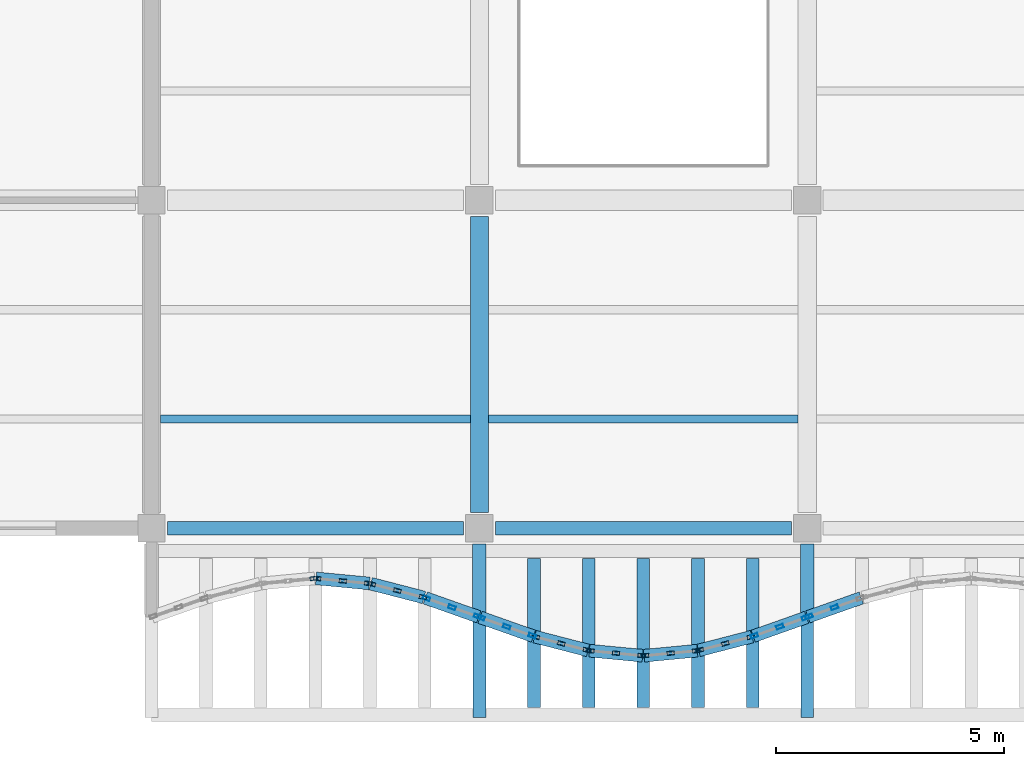
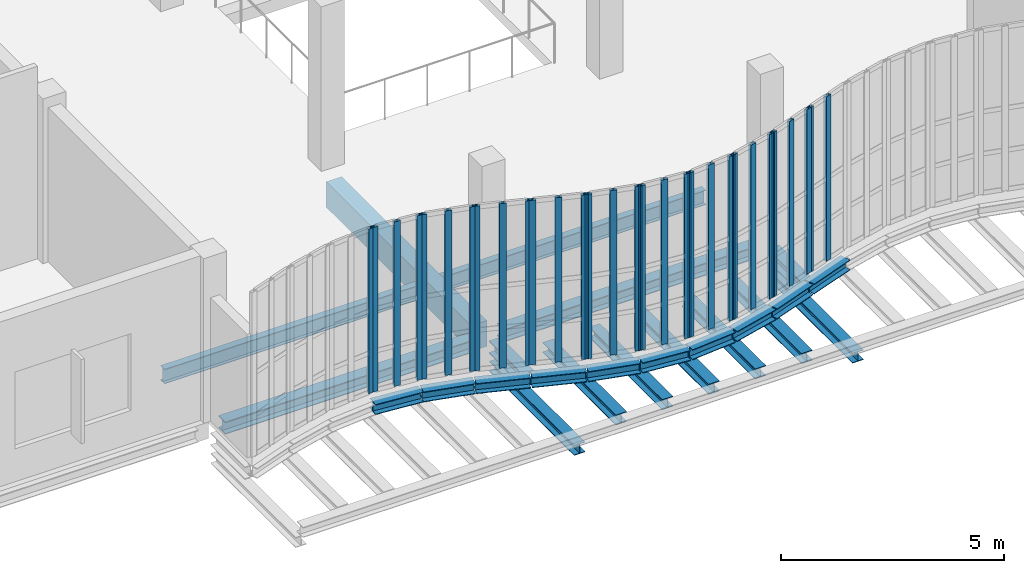
# One storey, part 9 of 105: 30 members, 24 beams, 11 elements without a shape of their own.
"""IFC4 building model written with IfcOpenShell, lengths in metres."""

from ifc_helpers import new_model, si_unit, direction, frame, origin, origin_2d, place, context, subcontext, project, spatial, rectangle, hollow_rectangle, i_section, extrude, material, layer, layer_set, material_profile, profile_set, type_object, element, aggregate, save


model = new_model("IFC4")

# Units and contexts
model_context = context("Model", 3, precision=1e-05, world=origin(), true_north=direction((0.0, 1.0)))
body_context = subcontext(model_context, "Body", "Model", "MODEL_VIEW")
ifc_project = project(units=[si_unit("LENGTHUNIT", "METRE"), si_unit("AREAUNIT", "SQUARE_METRE"), si_unit("VOLUMEUNIT", "CUBIC_METRE"), si_unit("PLANEANGLEUNIT", "RADIAN"), si_unit("MASSUNIT", "GRAM", prefix="KILO"), si_unit("THERMODYNAMICTEMPERATUREUNIT", "KELVIN"), si_unit("POWERUNIT", "WATT")], contexts=[model_context])

# Site, building, storey
site_placement = place(None, origin())
site = spatial("IfcSite", under=ifc_project, at=site_placement, CompositionType="ELEMENT")
building_placement = place(site_placement, origin())
building = spatial("IfcBuilding", under=site, at=building_placement, Name="Kaldorven Railside Theatre", CompositionType="ELEMENT")
storey_placement = place(building_placement, frame((0.0, 0.0, 9.89990234375)))
storey = spatial("IfcBuildingStorey", under=building, at=storey_placement, Name="L02", CompositionType="ELEMENT", Elevation=9.89990234375)

# Beams
ifc_material_1 = material(Name="Steel S355", Category="steel")
ifc_material_profile_1 = material_profile(ifc_material_1, i_section(OverallWidth=0.280029296875, OverallDepth=0.280029296875, WebThickness=0.010498046875, FlangeThickness=0.01806640625, at=origin_2d()), Name="HEB 280")
ifc_profile_set_1 = profile_set([ifc_material_profile_1], Name="Steel S355")
beam_type_1 = type_object("IfcBeamType", Name="BM-HEB280", PredefinedType="SPANDREL", material=ifc_profile_set_1)
for number, where, z_axis, x_axis, name in (
    (1, (44.0, 15.050048828125, -0.97998046875), (0.0, 1.0, 0.0), (-1.0, 0.0, 0.0), "L02 Sinusoidal Lower Cantilever Girder FOB-K015"),
    (2, (51.199951171875, 15.050048828125, -0.97998046875), (0.0, 1.0, 0.0), (-1.0, 0.0, 0.0), "L02 Sinusoidal Lower Cantilever Girder FOB-K016"),
):
    element("IfcBeam", number, at=place(storey_placement, frame(where, z_axis=z_axis, x_axis=x_axis)), inside=storey, type_object=beam_type_1, Name=name, PredefinedType="SPANDREL", context=body_context, shape_type="SweptSolid", body=[
        extrude(i_section(OverallWidth=0.280029296875, OverallDepth=0.280029296875, WebThickness=0.010498046875, FlangeThickness=0.01806640625, at=origin_2d()), origin(), (0.0, 0.0, 1.0), 3.800048828125),
    ])
beam_1_placement = place(storey_placement, frame((40.414794921875, 18.0986328125, -0.419921875), z_axis=(0.995526219207, -0.09448569665, 0.0), x_axis=(0.09448569665, 0.995526219207, 0.0)))
element("IfcBeam", 3, at=beam_1_placement, inside=storey, type_object=beam_type_1, Name="L02 Sinusoidal Flute Edge Spandrel FSB-076", PredefinedType="SPANDREL", context=body_context, shape_type="SweptSolid", body=[
    extrude(i_section(OverallWidth=0.280029296875, OverallDepth=0.280029296875, WebThickness=0.010498046875, FlangeThickness=0.01806640625, at=origin_2d()), origin(), (0.0, 0.0, 1.0), 1.17578125),
])
beam_2_placement = place(storey_placement, frame((41.614501953125, 17.982421875, -0.419921875), z_axis=(0.967967836725, -0.251074226206, 0.0), x_axis=(0.251074226206, 0.967967836725, 0.0)))
element("IfcBeam", 4, at=beam_2_placement, inside=storey, type_object=beam_type_1, Name="L02 Sinusoidal Flute Edge Spandrel FSB-077", PredefinedType="SPANDREL", context=body_context, shape_type="SweptSolid", body=[
    extrude(i_section(OverallWidth=0.280029296875, OverallDepth=0.280029296875, WebThickness=0.010498046875, FlangeThickness=0.01806640625, at=origin_2d()), origin(), (0.0, 0.0, 1.0), 1.209716796875),
])
for number, where, z_axis, x_axis, name in (
    (5, (42.814208984375, 17.669921875, -0.419921875), (0.942605331688, -0.333908952671, 0.0), (0.333908952671, 0.942605331688, 0.0), "L02 Sinusoidal Flute Edge Spandrel FSB-078"),
    (6, (44.01416015625, 17.2451171875, -0.419921875), (0.942605331688, -0.333908952671, 0.0), (0.333908952671, 0.942605331688, 0.0), "L02 Sinusoidal Flute Edge Spandrel FSB-079"),
):
    element("IfcBeam", number, at=place(storey_placement, frame(where, z_axis=z_axis, x_axis=x_axis)), inside=storey, type_object=beam_type_1, Name=name, PredefinedType="SPANDREL", context=body_context, shape_type="SweptSolid", body=[
        extrude(i_section(OverallWidth=0.280029296875, OverallDepth=0.280029296875, WebThickness=0.010498046875, FlangeThickness=0.01806640625, at=origin_2d()), origin(), (0.0, 0.0, 1.0), 1.242919921875),
    ])
beam_3_placement = place(storey_placement, frame((45.214599609375, 16.8212890625, -0.419921875), z_axis=(0.967967836725, -0.251074226206, 0.0), x_axis=(0.251074226206, 0.967967836725, 0.0)))
element("IfcBeam", 7, at=beam_3_placement, inside=storey, type_object=beam_type_1, Name="L02 Sinusoidal Flute Edge Spandrel FSB-080", PredefinedType="SPANDREL", context=body_context, shape_type="SweptSolid", body=[
    extrude(i_section(OverallWidth=0.280029296875, OverallDepth=0.280029296875, WebThickness=0.010498046875, FlangeThickness=0.01806640625, at=origin_2d()), origin(), (0.0, 0.0, 1.0), 1.209716796875),
])
beam_4_placement = place(storey_placement, frame((45.199951171875, 15.260009765625, -0.699951171875), z_axis=(0.0, 1.0, 0.0), x_axis=(-1.0, 0.0, 0.0)))
element("IfcBeam", 8, at=beam_4_placement, inside=storey, type_object=beam_type_1, Name="L02 Sinusoidal Diaphragm Rib Outrigger FOB-M080", PredefinedType="SPANDREL", context=body_context, shape_type="SweptSolid", body=[
    extrude(i_section(OverallWidth=0.280029296875, OverallDepth=0.280029296875, WebThickness=0.010498046875, FlangeThickness=0.01806640625, at=origin_2d()), origin(), (0.0, 0.0, 1.0), 3.280029296875),
])
beam_5_placement = place(storey_placement, frame((46.414794921875, 16.512451171875, -0.419921875), z_axis=(0.995526219207, -0.09448569665, 0.0), x_axis=(0.09448569665, 0.995526219207, 0.0)))
element("IfcBeam", 9, at=beam_5_placement, inside=storey, type_object=beam_type_1, Name="L02 Sinusoidal Flute Edge Spandrel FSB-081", PredefinedType="SPANDREL", context=body_context, shape_type="SweptSolid", body=[
    extrude(i_section(OverallWidth=0.280029296875, OverallDepth=0.280029296875, WebThickness=0.010498046875, FlangeThickness=0.01806640625, at=origin_2d()), origin(), (0.0, 0.0, 1.0), 1.17578125),
])
beam_6_placement = place(storey_placement, frame((46.39990234375, 15.260009765625, -0.699951171875), z_axis=(0.0, 1.0, 0.0), x_axis=(-1.0, 0.0, 0.0)))
element("IfcBeam", 10, at=beam_6_placement, inside=storey, type_object=beam_type_1, Name="L02 Sinusoidal Diaphragm Rib Outrigger FOB-M081", PredefinedType="SPANDREL", context=body_context, shape_type="SweptSolid", body=[
    extrude(i_section(OverallWidth=0.280029296875, OverallDepth=0.280029296875, WebThickness=0.010498046875, FlangeThickness=0.01806640625, at=origin_2d()), origin(), (0.0, 0.0, 1.0), 3.280029296875),
])
beam_7_placement = place(storey_placement, frame((47.614990234375, 16.4013671875, -0.419921875), z_axis=(0.99552436473, 0.094505233873, 0.0), x_axis=(-0.094505233873, 0.99552436473, 0.0)))
element("IfcBeam", 11, at=beam_7_placement, inside=storey, type_object=beam_type_1, Name="L02 Sinusoidal Flute Edge Spandrel FSB-082", PredefinedType="SPANDREL", context=body_context, shape_type="SweptSolid", body=[
    extrude(i_section(OverallWidth=0.280029296875, OverallDepth=0.280029296875, WebThickness=0.010498046875, FlangeThickness=0.01806640625, at=origin_2d()), origin(), (0.0, 0.0, 1.0), 1.175537109375),
])
beam_8_placement = place(storey_placement, frame((47.60009765625, 15.260009765625, -0.699951171875), z_axis=(0.0, 1.0, 0.0), x_axis=(-1.0, 0.0, 0.0)))
element("IfcBeam", 12, at=beam_8_placement, inside=storey, type_object=beam_type_1, Name="L02 Sinusoidal Diaphragm Rib Outrigger FOB-M082", PredefinedType="SPANDREL", context=body_context, shape_type="SweptSolid", body=[
    extrude(i_section(OverallWidth=0.280029296875, OverallDepth=0.280029296875, WebThickness=0.010498046875, FlangeThickness=0.01806640625, at=origin_2d()), origin(), (0.0, 0.0, 1.0), 3.280029296875),
])
beam_9_placement = place(storey_placement, frame((48.814453125, 16.517578125, -0.419921875), z_axis=(0.967980555895, 0.25102518481, 0.0), x_axis=(-0.25102518481, 0.967980555895, 0.0)))
element("IfcBeam", 13, at=beam_9_placement, inside=storey, type_object=beam_type_1, Name="L02 Sinusoidal Flute Edge Spandrel FSB-083", PredefinedType="SPANDREL", context=body_context, shape_type="SweptSolid", body=[
    extrude(i_section(OverallWidth=0.280029296875, OverallDepth=0.280029296875, WebThickness=0.010498046875, FlangeThickness=0.01806640625, at=origin_2d()), origin(), (0.0, 0.0, 1.0), 1.2099609375),
])
beam_10_placement = place(storey_placement, frame((48.800048828125, 15.260009765625, -0.699951171875), z_axis=(0.0, 1.0, 0.0), x_axis=(-1.0, 0.0, 0.0)))
element("IfcBeam", 14, at=beam_10_placement, inside=storey, type_object=beam_type_1, Name="L02 Sinusoidal Diaphragm Rib Outrigger FOB-M083", PredefinedType="SPANDREL", context=body_context, shape_type="SweptSolid", body=[
    extrude(i_section(OverallWidth=0.280029296875, OverallDepth=0.280029296875, WebThickness=0.010498046875, FlangeThickness=0.01806640625, at=origin_2d()), origin(), (0.0, 0.0, 1.0), 3.280029296875),
])
beam_11_placement = place(storey_placement, frame((50.01416015625, 16.830078125, -0.419921875), z_axis=(0.942605331688, 0.333908952671, 0.0), x_axis=(-0.333908952671, 0.942605331688, 0.0)))
element("IfcBeam", 15, at=beam_11_placement, inside=storey, type_object=beam_type_1, Name="L02 Sinusoidal Flute Edge Spandrel FSB-084", PredefinedType="SPANDREL", context=body_context, shape_type="SweptSolid", body=[
    extrude(i_section(OverallWidth=0.280029296875, OverallDepth=0.280029296875, WebThickness=0.010498046875, FlangeThickness=0.01806640625, at=origin_2d()), origin(), (0.0, 0.0, 1.0), 1.242919921875),
])
beam_12_placement = place(storey_placement, frame((50.0, 15.260009765625, -0.699951171875), z_axis=(0.0, 1.0, 0.0), x_axis=(-1.0, 0.0, 0.0)))
element("IfcBeam", 16, at=beam_12_placement, inside=storey, type_object=beam_type_1, Name="L02 Sinusoidal Diaphragm Rib Outrigger FOB-M084", PredefinedType="SPANDREL", context=body_context, shape_type="SweptSolid", body=[
    extrude(i_section(OverallWidth=0.280029296875, OverallDepth=0.280029296875, WebThickness=0.010498046875, FlangeThickness=0.01806640625, at=origin_2d()), origin(), (0.0, 0.0, 1.0), 3.280029296875),
])
beam_13_placement = place(storey_placement, frame((51.214111328125, 17.2548828125, -0.419921875), z_axis=(0.942627225161, 0.333847142245, 0.0), x_axis=(-0.333847142245, 0.942627225161, 0.0)))
element("IfcBeam", 17, at=beam_13_placement, inside=storey, type_object=beam_type_1, Name="L02 Sinusoidal Flute Edge Spandrel FSB-085", PredefinedType="SPANDREL", context=body_context, shape_type="SweptSolid", body=[
    extrude(i_section(OverallWidth=0.280029296875, OverallDepth=0.280029296875, WebThickness=0.010498046875, FlangeThickness=0.01806640625, at=origin_2d()), origin(), (0.0, 0.0, 1.0), 1.2431640625),
])
ifc_material_profile_2 = material_profile(ifc_material_1, i_section(OverallWidth=0.300048828125, OverallDepth=0.340087890625, WebThickness=0.011962890625, FlangeThickness=0.021484375, at=origin_2d()), Name="HEB 340")
ifc_profile_set_2 = profile_set([ifc_material_profile_2], Name="Steel S355")
beam_type_2 = type_object("IfcBeamType", Name="BM-HEB340", PredefinedType="SPANDREL", material=ifc_profile_set_2)
for number, where, z_axis, x_axis, name in (
    (18, (37.14990234375, 19.199951171875, -0.449951171875), (1.0, 0.0, 0.0), (0.0, 1.0, 0.0), "L02 Girder BGX-L02-036-019"),
    (19, (44.35009765625, 19.199951171875, -0.449951171875), (1.0, 0.0, 0.0), (0.0, 1.0, 0.0), "L02 Girder BGX-L02-044-019"),
):
    element("IfcBeam", number, at=place(storey_placement, frame(where, z_axis=z_axis, x_axis=x_axis)), inside=storey, type_object=beam_type_2, Name=name, PredefinedType="SPANDREL", context=body_context, shape_type="SweptSolid", body=[
        extrude(i_section(OverallWidth=0.300048828125, OverallDepth=0.340087890625, WebThickness=0.011962890625, FlangeThickness=0.021484375, at=origin_2d()), origin(), (0.0, 0.0, 1.0), 6.5),
    ])
for number, where, z_axis, x_axis, name in (
    (20, (44.0, 17.31005859375, -0.449951171875), (0.0, 1.0, 0.0), (-1.0, 0.0, 0.0), "L02 Sinusoidal Veil Outrigger FOB-2044"),
    (21, (51.199951171875, 17.31005859375, -0.449951171875), (0.0, 1.0, 0.0), (-1.0, 0.0, 0.0), "L02 Sinusoidal Veil Outrigger FOB-2051"),
):
    element("IfcBeam", number, at=place(storey_placement, frame(where, z_axis=z_axis, x_axis=x_axis)), inside=storey, type_object=beam_type_2, Name=name, PredefinedType="SPANDREL", context=body_context, shape_type="SweptSolid", body=[
        extrude(i_section(OverallWidth=0.300048828125, OverallDepth=0.340087890625, WebThickness=0.011962890625, FlangeThickness=0.021484375, at=origin_2d()), origin(), (0.0, 0.0, 1.0), 1.5400390625),
    ])
ifc_material_profile_3 = material_profile(ifc_material_1, i_section(OverallWidth=0.179931640625, OverallDepth=0.39990234375, WebThickness=0.008544921875, FlangeThickness=0.013427734375, at=origin_2d()), Name="IPE 400")
ifc_profile_set_3 = profile_set([ifc_material_profile_3], Name="Steel S355")
beam_type_3 = type_object("IfcBeamType", Name="BM-IPE400", PredefinedType="JOIST", material=ifc_profile_set_3)
for number, where, z_axis, x_axis, name in (
    (22, (37.0, 21.60009765625, -0.47998046875), (1.0, 0.0, 0.0), (0.0, 1.0, 0.0), "L02 Secondary Floor Joist JG-L02-036-0216"),
    (23, (44.199951171875, 21.60009765625, -0.47998046875), (1.0, 0.0, 0.0), (0.0, 1.0, 0.0), "L02 Secondary Floor Joist JG-L02-044-0216"),
):
    element("IfcBeam", number, at=place(storey_placement, frame(where, z_axis=z_axis, x_axis=x_axis)), inside=storey, type_object=beam_type_3, Name=name, PredefinedType="JOIST", context=body_context, shape_type="SweptSolid", body=[
        extrude(i_section(OverallWidth=0.179931640625, OverallDepth=0.39990234375, WebThickness=0.008544921875, FlangeThickness=0.013427734375, at=origin_2d()), origin(), (0.0, 0.0, 1.0), 6.800048828125),
    ])
ifc_material_2 = material(Name="Concrete C40/50", Category="concrete")
ifc_material_profile_4 = material_profile(ifc_material_2, rectangle(XDim=0.39990234375, YDim=0.699951171875, at=origin_2d()), Name="RC 400x700")
ifc_profile_set_4 = profile_set([ifc_material_profile_4], Name="Concrete C40/50")
beam_type_4 = type_object("IfcBeamType", Name="BM-RC400x700", PredefinedType="BEAM", material=ifc_profile_set_4)
beam_14_placement = place(storey_placement, frame((44.0, 19.550048828125, -0.6298828125), z_axis=(0.0, 1.0, 0.0), x_axis=(-1.0, 0.0, 0.0)))
element("IfcBeam", 24, at=beam_14_placement, inside=storey, type_object=beam_type_4, Name="L02 Girder BGY-L02-044-019-72", PredefinedType="BEAM", context=body_context, shape_type="SweptSolid", body=[
    extrude(rectangle(XDim=0.39990234375, YDim=0.699951171875, at=origin_2d()), origin(), (0.0, 0.0, 1.0), 6.5),
])

# Curtain wall, member
ifc_material_3 = material(Name="Low-E laminated solar-control glass", Category="glass")
ifc_layer_1 = layer(ifc_material_3, 0.159912109375, Name="Low-E laminated solar-control glass")
ifc_layer_set_1 = layer_set([ifc_layer_1], Name="Low-E laminated solar-control glass")
curtain_wall_type_1 = type_object("IfcCurtainWallType", Name="CWT-03", PredefinedType="USERDEFINED", material=ifc_layer_set_1)
curtain_wall_1_placement = place(storey_placement, origin())
curtain_wall_1 = element("IfcCurtainWall", 25, at=curtain_wall_1_placement, inside=storey, type_object=curtain_wall_type_1, Name="Sinusoidal Fluted Curtain Wall CW-L02-S03", ObjectType="FLUTED GLAZING", PredefinedType="USERDEFINED")
ifc_material_4 = material(Name="Anodised bronze aluminium", Category="aluminium")
ifc_material_profile_5 = material_profile(ifc_material_4, hollow_rectangle(XDim=0.080078125, YDim=0.159912109375, WallThickness=0.00634765625, at=origin_2d()), Name="RHS 160x80x6.3")
ifc_profile_set_5 = profile_set([ifc_material_profile_5], Name="Anodised bronze aluminium")
member_type = type_object("IfcMemberType", Name="CWM-160", PredefinedType="MULLION", material=ifc_profile_set_5)
member_1_placement = place(storey_placement, frame((40.360107421875, 18.09619140625, 0.0), z_axis=(0.0, 0.0, 1.0), x_axis=(-0.094491973758, 0.995525623425, 0.0)))
member_1 = element("IfcMember", 26, at=member_1_placement, type_object=member_type, Name="CW-L02-S03 mullion 3", PredefinedType="MULLION", context=body_context, shape_type="SweptSolid", body=[
    extrude(hollow_rectangle(XDim=0.080078125, YDim=0.159912109375, WallThickness=0.00634765625, at=origin_2d()), origin(), (0.0, 0.0, 1.0), 4.5),
])
aggregate(curtain_wall_1, [member_1])

# Curtain wall, members
curtain_wall_2_placement = place(storey_placement, origin())
curtain_wall_2 = element("IfcCurtainWall", 27, at=curtain_wall_2_placement, inside=storey, type_object=curtain_wall_type_1, Name="Sinusoidal Fluted Curtain Wall CW-L02-S04", ObjectType="FLUTED GLAZING", PredefinedType="USERDEFINED")
member_2_placement = place(storey_placement, frame((40.43994140625, 18.09619140625, 0.0), z_axis=(0.0, 0.0, 1.0), x_axis=(0.094491973758, 0.995525623425, 0.0)))
member_2 = element("IfcMember", 28, at=member_2_placement, type_object=member_type, Name="CW-L02-S04 mullion 1", PredefinedType="MULLION", context=body_context, shape_type="SweptSolid", body=[
    extrude(hollow_rectangle(XDim=0.080078125, YDim=0.159912109375, WallThickness=0.00634765625, at=origin_2d()), origin(), (0.0, 0.0, 1.0), 4.5),
])
member_3_placement = place(storey_placement, frame((41.0, 18.04296875, 0.0), z_axis=(0.0, 0.0, 1.0), x_axis=(0.094491973758, 0.995525623425, 0.0)))
member_3 = element("IfcMember", 29, at=member_3_placement, type_object=member_type, Name="CW-L02-S04 mullion 2", PredefinedType="MULLION", context=body_context, shape_type="SweptSolid", body=[
    extrude(hollow_rectangle(XDim=0.080078125, YDim=0.159912109375, WallThickness=0.00634765625, at=origin_2d()), origin(), (0.0, 0.0, 1.0), 4.5),
])
member_4_placement = place(storey_placement, frame((41.56005859375, 17.989990234375, 0.0), z_axis=(0.0, 0.0, 1.0), x_axis=(0.094491973758, 0.995525623425, 0.0)))
member_4 = element("IfcMember", 30, at=member_4_placement, type_object=member_type, Name="CW-L02-S04 mullion 3", PredefinedType="MULLION", context=body_context, shape_type="SweptSolid", body=[
    extrude(hollow_rectangle(XDim=0.080078125, YDim=0.159912109375, WallThickness=0.00634765625, at=origin_2d()), origin(), (0.0, 0.0, 1.0), 4.5),
])
aggregate(curtain_wall_2, [member_2, member_3, member_4])

ifc_layer_2 = layer(ifc_material_3, 0.159912109375, Name="Low-E laminated solar-control glass")
ifc_layer_set_2 = layer_set([ifc_layer_2], Name="Low-E laminated solar-control glass")
curtain_wall_type_2 = type_object("IfcCurtainWallType", Name="CWT-02", PredefinedType="USERDEFINED", material=ifc_layer_set_2)
curtain_wall_3_placement = place(storey_placement, origin())
curtain_wall_3 = element("IfcCurtainWall", 31, at=curtain_wall_3_placement, inside=storey, type_object=curtain_wall_type_2, Name="Sinusoidal Fluted Curtain Wall CW-L02-S05", ObjectType="FLUTED GLAZING", PredefinedType="USERDEFINED")
member_5_placement = place(storey_placement, frame((41.638671875, 17.97607421875, 0.0), z_axis=(0.0, 0.0, 1.0), x_axis=(0.250953760326, 0.967999075505, 0.0)))
member_5 = element("IfcMember", 32, at=member_5_placement, type_object=member_type, Name="CW-L02-S05 mullion 1", PredefinedType="MULLION", context=body_context, shape_type="SweptSolid", body=[
    extrude(hollow_rectangle(XDim=0.080078125, YDim=0.159912109375, WallThickness=0.00634765625, at=origin_2d()), origin(), (0.0, 0.0, 1.0), 4.5),
])
member_6_placement = place(storey_placement, frame((42.199951171875, 17.83056640625, 0.0), z_axis=(0.0, 0.0, 1.0), x_axis=(0.250953760326, 0.967999075505, 0.0)))
member_6 = element("IfcMember", 33, at=member_6_placement, type_object=member_type, Name="CW-L02-S05 mullion 2", PredefinedType="MULLION", context=body_context, shape_type="SweptSolid", body=[
    extrude(hollow_rectangle(XDim=0.080078125, YDim=0.159912109375, WallThickness=0.00634765625, at=origin_2d()), origin(), (0.0, 0.0, 1.0), 4.5),
])
member_7_placement = place(storey_placement, frame((42.76123046875, 17.68505859375, 0.0), z_axis=(0.0, 0.0, 1.0), x_axis=(0.250953760326, 0.967999075505, 0.0)))
member_7 = element("IfcMember", 34, at=member_7_placement, type_object=member_type, Name="CW-L02-S05 mullion 3", PredefinedType="MULLION", context=body_context, shape_type="SweptSolid", body=[
    extrude(hollow_rectangle(XDim=0.080078125, YDim=0.159912109375, WallThickness=0.00634765625, at=origin_2d()), origin(), (0.0, 0.0, 1.0), 4.5),
])
aggregate(curtain_wall_3, [member_5, member_6, member_7])

ifc_layer_3 = layer(ifc_material_3, 0.159912109375, Name="Low-E laminated solar-control glass")
ifc_layer_set_3 = layer_set([ifc_layer_3], Name="Low-E laminated solar-control glass")
curtain_wall_type_3 = type_object("IfcCurtainWallType", Name="CWT-01", PredefinedType="USERDEFINED", material=ifc_layer_set_3)
curtain_wall_4_placement = place(storey_placement, origin())
curtain_wall_4 = element("IfcCurtainWall", 35, at=curtain_wall_4_placement, inside=storey, type_object=curtain_wall_type_3, Name="Sinusoidal Fluted Curtain Wall CW-L02-S06", ObjectType="FLUTED GLAZING", PredefinedType="USERDEFINED")
member_8_placement = place(storey_placement, frame((42.837646484375, 17.66162109375, 0.0), z_axis=(0.0, 0.0, 1.0), x_axis=(0.33384714225, 0.942627225159, 0.0)))
member_8 = element("IfcMember", 36, at=member_8_placement, type_object=member_type, Name="CW-L02-S06 mullion 1", PredefinedType="MULLION", context=body_context, shape_type="SweptSolid", body=[
    extrude(hollow_rectangle(XDim=0.080078125, YDim=0.159912109375, WallThickness=0.00634765625, at=origin_2d()), origin(), (0.0, 0.0, 1.0), 4.5),
])
member_9_placement = place(storey_placement, frame((43.39990234375, 17.46240234375, 0.0), z_axis=(0.0, 0.0, 1.0), x_axis=(0.33384714225, 0.942627225159, 0.0)))
member_9 = element("IfcMember", 37, at=member_9_placement, type_object=member_type, Name="CW-L02-S06 mullion 2", PredefinedType="MULLION", context=body_context, shape_type="SweptSolid", body=[
    extrude(hollow_rectangle(XDim=0.080078125, YDim=0.159912109375, WallThickness=0.00634765625, at=origin_2d()), origin(), (0.0, 0.0, 1.0), 4.5),
])
member_10_placement = place(storey_placement, frame((43.96240234375, 17.263427734375, 0.0), z_axis=(0.0, 0.0, 1.0), x_axis=(0.33384714225, 0.942627225159, 0.0)))
member_10 = element("IfcMember", 38, at=member_10_placement, type_object=member_type, Name="CW-L02-S06 mullion 3", PredefinedType="MULLION", context=body_context, shape_type="SweptSolid", body=[
    extrude(hollow_rectangle(XDim=0.080078125, YDim=0.159912109375, WallThickness=0.00634765625, at=origin_2d()), origin(), (0.0, 0.0, 1.0), 4.5),
])
aggregate(curtain_wall_4, [member_8, member_9, member_10])

curtain_wall_5_placement = place(storey_placement, origin())
curtain_wall_5 = element("IfcCurtainWall", 39, at=curtain_wall_5_placement, inside=storey, type_object=curtain_wall_type_3, Name="Sinusoidal Fluted Curtain Wall CW-L02-S07", ObjectType="FLUTED GLAZING", PredefinedType="USERDEFINED")
member_11_placement = place(storey_placement, frame((44.03759765625, 17.236572265625, 0.0), z_axis=(0.0, 0.0, 1.0), x_axis=(0.33384714225, 0.942627225159, 0.0)))
member_11 = element("IfcMember", 40, at=member_11_placement, type_object=member_type, Name="CW-L02-S07 mullion 1", PredefinedType="MULLION", context=body_context, shape_type="SweptSolid", body=[
    extrude(hollow_rectangle(XDim=0.080078125, YDim=0.159912109375, WallThickness=0.00634765625, at=origin_2d()), origin(), (0.0, 0.0, 1.0), 4.5),
])
member_12_placement = place(storey_placement, frame((44.60009765625, 17.03759765625, 0.0), z_axis=(0.0, 0.0, 1.0), x_axis=(0.33384714225, 0.942627225159, 0.0)))
member_12 = element("IfcMember", 41, at=member_12_placement, type_object=member_type, Name="CW-L02-S07 mullion 2", PredefinedType="MULLION", context=body_context, shape_type="SweptSolid", body=[
    extrude(hollow_rectangle(XDim=0.080078125, YDim=0.159912109375, WallThickness=0.00634765625, at=origin_2d()), origin(), (0.0, 0.0, 1.0), 4.5),
])
member_13_placement = place(storey_placement, frame((45.162353515625, 16.83837890625, 0.0), z_axis=(0.0, 0.0, 1.0), x_axis=(0.33384714225, 0.942627225159, 0.0)))
member_13 = element("IfcMember", 42, at=member_13_placement, type_object=member_type, Name="CW-L02-S07 mullion 3", PredefinedType="MULLION", context=body_context, shape_type="SweptSolid", body=[
    extrude(hollow_rectangle(XDim=0.080078125, YDim=0.159912109375, WallThickness=0.00634765625, at=origin_2d()), origin(), (0.0, 0.0, 1.0), 4.5),
])
aggregate(curtain_wall_5, [member_11, member_12, member_13])

curtain_wall_6_placement = place(storey_placement, origin())
curtain_wall_6 = element("IfcCurtainWall", 43, at=curtain_wall_6_placement, inside=storey, type_object=curtain_wall_type_2, Name="Sinusoidal Fluted Curtain Wall CW-L02-S08", ObjectType="FLUTED GLAZING", PredefinedType="USERDEFINED")
member_14_placement = place(storey_placement, frame((45.23876953125, 16.81494140625, 0.0), z_axis=(0.0, 0.0, 1.0), x_axis=(0.250953760326, 0.967999075505, 0.0)))
member_14 = element("IfcMember", 44, at=member_14_placement, type_object=member_type, Name="CW-L02-S08 mullion 1", PredefinedType="MULLION", context=body_context, shape_type="SweptSolid", body=[
    extrude(hollow_rectangle(XDim=0.080078125, YDim=0.159912109375, WallThickness=0.00634765625, at=origin_2d()), origin(), (0.0, 0.0, 1.0), 4.5),
])
member_15_placement = place(storey_placement, frame((45.800048828125, 16.66943359375, 0.0), z_axis=(0.0, 0.0, 1.0), x_axis=(0.250953760326, 0.967999075505, 0.0)))
member_15 = element("IfcMember", 45, at=member_15_placement, type_object=member_type, Name="CW-L02-S08 mullion 2", PredefinedType="MULLION", context=body_context, shape_type="SweptSolid", body=[
    extrude(hollow_rectangle(XDim=0.080078125, YDim=0.159912109375, WallThickness=0.00634765625, at=origin_2d()), origin(), (0.0, 0.0, 1.0), 4.5),
])
member_16_placement = place(storey_placement, frame((46.361328125, 16.52392578125, 0.0), z_axis=(0.0, 0.0, 1.0), x_axis=(0.250953760326, 0.967999075505, 0.0)))
member_16 = element("IfcMember", 46, at=member_16_placement, type_object=member_type, Name="CW-L02-S08 mullion 3", PredefinedType="MULLION", context=body_context, shape_type="SweptSolid", body=[
    extrude(hollow_rectangle(XDim=0.080078125, YDim=0.159912109375, WallThickness=0.00634765625, at=origin_2d()), origin(), (0.0, 0.0, 1.0), 4.5),
])
aggregate(curtain_wall_6, [member_14, member_15, member_16])

curtain_wall_7_placement = place(storey_placement, origin())
curtain_wall_7 = element("IfcCurtainWall", 47, at=curtain_wall_7_placement, inside=storey, type_object=curtain_wall_type_1, Name="Sinusoidal Fluted Curtain Wall CW-L02-S09", ObjectType="FLUTED GLAZING", PredefinedType="USERDEFINED")
member_17_placement = place(storey_placement, frame((46.43994140625, 16.510009765625, 0.0), z_axis=(0.0, 0.0, 1.0), x_axis=(0.094491973758, 0.995525623425, 0.0)))
member_17 = element("IfcMember", 48, at=member_17_placement, type_object=member_type, Name="CW-L02-S09 mullion 1", PredefinedType="MULLION", context=body_context, shape_type="SweptSolid", body=[
    extrude(hollow_rectangle(XDim=0.080078125, YDim=0.159912109375, WallThickness=0.00634765625, at=origin_2d()), origin(), (0.0, 0.0, 1.0), 4.5),
])
member_18_placement = place(storey_placement, frame((47.0, 16.45703125, 0.0), z_axis=(0.0, 0.0, 1.0), x_axis=(0.094491973758, 0.995525623425, 0.0)))
member_18 = element("IfcMember", 49, at=member_18_placement, type_object=member_type, Name="CW-L02-S09 mullion 2", PredefinedType="MULLION", context=body_context, shape_type="SweptSolid", body=[
    extrude(hollow_rectangle(XDim=0.080078125, YDim=0.159912109375, WallThickness=0.00634765625, at=origin_2d()), origin(), (0.0, 0.0, 1.0), 4.5),
])
member_19_placement = place(storey_placement, frame((47.56005859375, 16.40380859375, 0.0), z_axis=(0.0, 0.0, 1.0), x_axis=(0.094491973758, 0.995525623425, 0.0)))
member_19 = element("IfcMember", 50, at=member_19_placement, type_object=member_type, Name="CW-L02-S09 mullion 3", PredefinedType="MULLION", context=body_context, shape_type="SweptSolid", body=[
    extrude(hollow_rectangle(XDim=0.080078125, YDim=0.159912109375, WallThickness=0.00634765625, at=origin_2d()), origin(), (0.0, 0.0, 1.0), 4.5),
])
aggregate(curtain_wall_7, [member_17, member_18, member_19])

curtain_wall_8_placement = place(storey_placement, origin())
curtain_wall_8 = element("IfcCurtainWall", 51, at=curtain_wall_8_placement, inside=storey, type_object=curtain_wall_type_1, Name="Sinusoidal Fluted Curtain Wall CW-L02-S10", ObjectType="FLUTED GLAZING", PredefinedType="USERDEFINED")
member_20_placement = place(storey_placement, frame((47.639892578125, 16.40380859375, 0.0), z_axis=(0.0, 0.0, 1.0), x_axis=(-0.094491973758, 0.995525623425, 0.0)))
member_20 = element("IfcMember", 52, at=member_20_placement, type_object=member_type, Name="CW-L02-S10 mullion 1", PredefinedType="MULLION", context=body_context, shape_type="SweptSolid", body=[
    extrude(hollow_rectangle(XDim=0.080078125, YDim=0.159912109375, WallThickness=0.00634765625, at=origin_2d()), origin(), (0.0, 0.0, 1.0), 4.5),
])
member_21_placement = place(storey_placement, frame((48.199951171875, 16.45703125, 0.0), z_axis=(0.0, 0.0, 1.0), x_axis=(-0.094491973758, 0.995525623425, 0.0)))
member_21 = element("IfcMember", 53, at=member_21_placement, type_object=member_type, Name="CW-L02-S10 mullion 2", PredefinedType="MULLION", context=body_context, shape_type="SweptSolid", body=[
    extrude(hollow_rectangle(XDim=0.080078125, YDim=0.159912109375, WallThickness=0.00634765625, at=origin_2d()), origin(), (0.0, 0.0, 1.0), 4.5),
])
member_22_placement = place(storey_placement, frame((48.76025390625, 16.510009765625, 0.0), z_axis=(0.0, 0.0, 1.0), x_axis=(-0.094491973758, 0.995525623425, 0.0)))
member_22 = element("IfcMember", 54, at=member_22_placement, type_object=member_type, Name="CW-L02-S10 mullion 3", PredefinedType="MULLION", context=body_context, shape_type="SweptSolid", body=[
    extrude(hollow_rectangle(XDim=0.080078125, YDim=0.159912109375, WallThickness=0.00634765625, at=origin_2d()), origin(), (0.0, 0.0, 1.0), 4.5),
])
aggregate(curtain_wall_8, [member_20, member_21, member_22])

curtain_wall_9_placement = place(storey_placement, origin())
curtain_wall_9 = element("IfcCurtainWall", 55, at=curtain_wall_9_placement, inside=storey, type_object=curtain_wall_type_2, Name="Sinusoidal Fluted Curtain Wall CW-L02-S11", ObjectType="FLUTED GLAZING", PredefinedType="USERDEFINED")
member_23_placement = place(storey_placement, frame((48.838623046875, 16.52392578125, 0.0), z_axis=(0.0, 0.0, 1.0), x_axis=(-0.250953760326, 0.967999075505, 0.0)))
member_23 = element("IfcMember", 56, at=member_23_placement, type_object=member_type, Name="CW-L02-S11 mullion 1", PredefinedType="MULLION", context=body_context, shape_type="SweptSolid", body=[
    extrude(hollow_rectangle(XDim=0.080078125, YDim=0.159912109375, WallThickness=0.00634765625, at=origin_2d()), origin(), (0.0, 0.0, 1.0), 4.5),
])
member_24_placement = place(storey_placement, frame((49.39990234375, 16.66943359375, 0.0), z_axis=(0.0, 0.0, 1.0), x_axis=(-0.250953760326, 0.967999075505, 0.0)))
member_24 = element("IfcMember", 57, at=member_24_placement, type_object=member_type, Name="CW-L02-S11 mullion 2", PredefinedType="MULLION", context=body_context, shape_type="SweptSolid", body=[
    extrude(hollow_rectangle(XDim=0.080078125, YDim=0.159912109375, WallThickness=0.00634765625, at=origin_2d()), origin(), (0.0, 0.0, 1.0), 4.5),
])
member_25_placement = place(storey_placement, frame((49.961181640625, 16.81494140625, 0.0), z_axis=(0.0, 0.0, 1.0), x_axis=(-0.250953760326, 0.967999075505, 0.0)))
member_25 = element("IfcMember", 58, at=member_25_placement, type_object=member_type, Name="CW-L02-S11 mullion 3", PredefinedType="MULLION", context=body_context, shape_type="SweptSolid", body=[
    extrude(hollow_rectangle(XDim=0.080078125, YDim=0.159912109375, WallThickness=0.00634765625, at=origin_2d()), origin(), (0.0, 0.0, 1.0), 4.5),
])
aggregate(curtain_wall_9, [member_23, member_24, member_25])

curtain_wall_10_placement = place(storey_placement, origin())
curtain_wall_10 = element("IfcCurtainWall", 59, at=curtain_wall_10_placement, inside=storey, type_object=curtain_wall_type_3, Name="Sinusoidal Fluted Curtain Wall CW-L02-S12", ObjectType="FLUTED GLAZING", PredefinedType="USERDEFINED")
member_26_placement = place(storey_placement, frame((50.03759765625, 16.83837890625, 0.0), z_axis=(0.0, 0.0, 1.0), x_axis=(-0.33384714225, 0.942627225159, 0.0)))
member_26 = element("IfcMember", 60, at=member_26_placement, type_object=member_type, Name="CW-L02-S12 mullion 1", PredefinedType="MULLION", context=body_context, shape_type="SweptSolid", body=[
    extrude(hollow_rectangle(XDim=0.080078125, YDim=0.159912109375, WallThickness=0.00634765625, at=origin_2d()), origin(), (0.0, 0.0, 1.0), 4.5),
])
member_27_placement = place(storey_placement, frame((50.60009765625, 17.03759765625, 0.0), z_axis=(0.0, 0.0, 1.0), x_axis=(-0.33384714225, 0.942627225159, 0.0)))
member_27 = element("IfcMember", 61, at=member_27_placement, type_object=member_type, Name="CW-L02-S12 mullion 2", PredefinedType="MULLION", context=body_context, shape_type="SweptSolid", body=[
    extrude(hollow_rectangle(XDim=0.080078125, YDim=0.159912109375, WallThickness=0.00634765625, at=origin_2d()), origin(), (0.0, 0.0, 1.0), 4.5),
])
member_28_placement = place(storey_placement, frame((51.162353515625, 17.236572265625, 0.0), z_axis=(0.0, 0.0, 1.0), x_axis=(-0.33384714225, 0.942627225159, 0.0)))
member_28 = element("IfcMember", 62, at=member_28_placement, type_object=member_type, Name="CW-L02-S12 mullion 3", PredefinedType="MULLION", context=body_context, shape_type="SweptSolid", body=[
    extrude(hollow_rectangle(XDim=0.080078125, YDim=0.159912109375, WallThickness=0.00634765625, at=origin_2d()), origin(), (0.0, 0.0, 1.0), 4.5),
])
aggregate(curtain_wall_10, [member_26, member_27, member_28])

curtain_wall_11_placement = place(storey_placement, origin())
curtain_wall_11 = element("IfcCurtainWall", 63, at=curtain_wall_11_placement, inside=storey, type_object=curtain_wall_type_3, Name="Sinusoidal Fluted Curtain Wall CW-L02-S13", ObjectType="FLUTED GLAZING", PredefinedType="USERDEFINED")
member_29_placement = place(storey_placement, frame((51.23779296875, 17.263427734375, 0.0), z_axis=(0.0, 0.0, 1.0), x_axis=(-0.33384714225, 0.942627225159, 0.0)))
member_29 = element("IfcMember", 64, at=member_29_placement, type_object=member_type, Name="CW-L02-S13 mullion 1", PredefinedType="MULLION", context=body_context, shape_type="SweptSolid", body=[
    extrude(hollow_rectangle(XDim=0.080078125, YDim=0.159912109375, WallThickness=0.00634765625, at=origin_2d()), origin(), (0.0, 0.0, 1.0), 4.5),
])
member_30_placement = place(storey_placement, frame((51.800048828125, 17.46240234375, 0.0), z_axis=(0.0, 0.0, 1.0), x_axis=(-0.33384714225, 0.942627225159, 0.0)))
member_30 = element("IfcMember", 65, at=member_30_placement, type_object=member_type, Name="CW-L02-S13 mullion 2", PredefinedType="MULLION", context=body_context, shape_type="SweptSolid", body=[
    extrude(hollow_rectangle(XDim=0.080078125, YDim=0.159912109375, WallThickness=0.00634765625, at=origin_2d()), origin(), (0.0, 0.0, 1.0), 4.5),
])
aggregate(curtain_wall_11, [member_29, member_30])

save(model, "model.ifc")
